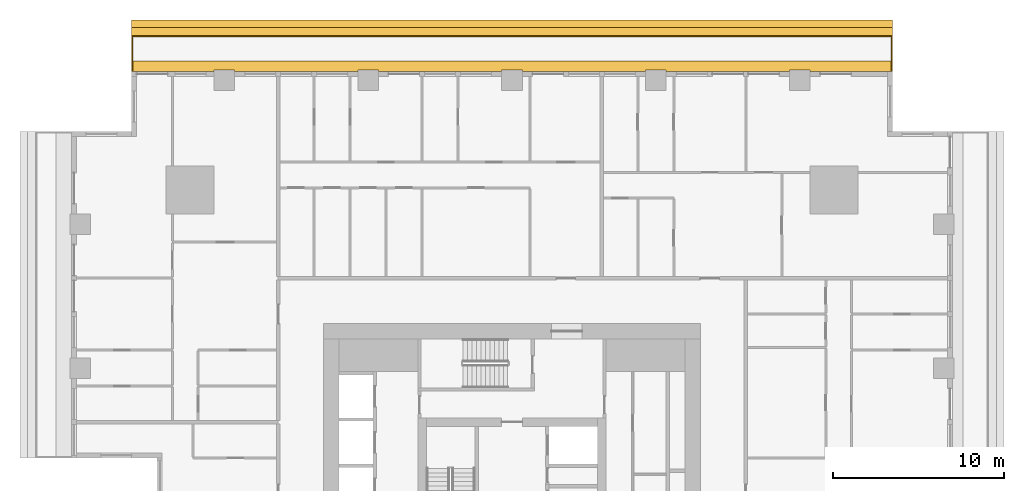
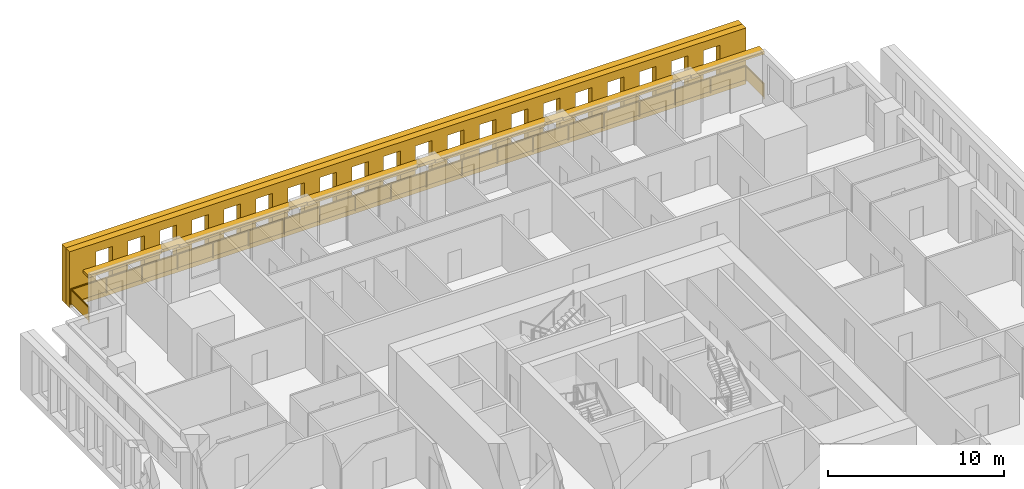
# One storey, part 15 of 15: 3 shading devices, 1 railing.
"""IFC4 building model written with IfcOpenShell, lengths in metres."""

from ifc_helpers import new_model, si_unit, direction, frame, origin, origin_2d, place, context, subcontext, project, spatial, polyline, rectangle, outline, extrude, material, layer, layer_set, type_object, element, save


model = new_model("IFC4")

# Units and contexts
model_context = context("Model", 3, precision=1e-05, world=origin(), true_north=direction((0.0, 1.0)))
body_context = subcontext(model_context, "Body", "Model", "MODEL_VIEW")
ifc_project = project(units=[si_unit("LENGTHUNIT", "METRE"), si_unit("AREAUNIT", "SQUARE_METRE"), si_unit("VOLUMEUNIT", "CUBIC_METRE"), si_unit("PLANEANGLEUNIT", "RADIAN"), si_unit("MASSUNIT", "GRAM", prefix="KILO")], contexts=[model_context])

# Site, building, storey
site_placement = place(None, origin())
site = spatial("IfcSite", under=ifc_project, at=site_placement, CompositionType="ELEMENT")
building_placement = place(site_placement, origin())
building = spatial("IfcBuilding", under=site, at=building_placement, Name="Khepri Terraces", CompositionType="ELEMENT")
storey_placement = place(building_placement, frame((0.0, 0.0, 83.10009765625)))
storey = spatial("IfcBuildingStorey", under=building, at=storey_placement, Name="L19", CompositionType="ELEMENT", Elevation=83.10009765625)

# Railing
ifc_material_1 = material(Name="Stainless steel grade 316", Category="steel")
railing_type = type_object("IfcRailingType", Name="GRD-BAL-1100", PredefinedType="GUARDRAIL", material=ifc_material_1)
railing_placement = place(storey_placement, frame((22.169921875, 25.719970703125, 0.0)))
element("IfcRailing", 1, at=railing_placement, inside=storey, type_object=railing_type, Name="Balcony guard L19 N", PredefinedType="GUARDRAIL", context=body_context, shape_type="SweptSolid", body=[
    extrude(rectangle(XDim=0.050048828125, YDim=0.06005859375, at=origin_2d()), frame((0.0, 0.0, 1.070068359375), z_axis=(0.0, 1.0, 0.0), x_axis=(-1.0, 0.0, 0.0)), (0.0, 0.0, 1.0), 2.050048828125),
    extrude(rectangle(XDim=2.0, YDim=0.011962890625, at=origin_2d()), frame((0.0, 1.02490234375, 0.10009765625), z_axis=(0.0, 0.0, 1.0), x_axis=(0.0, 1.0, 0.0)), (0.0, 0.0, 1.0), 0.93994140625),
    extrude(rectangle(XDim=0.050048828125, YDim=0.06005859375, at=origin_2d()), frame((0.0, 2.050048828125, 1.070068359375), z_axis=(-1.0, 0.0, 0.0), x_axis=(0.0, -1.0, 0.0)), (0.0, 0.0, 1.0), 44.33984375),
    extrude(rectangle(XDim=2.28369140625, YDim=0.011962890625, at=origin_2d()), frame((-1.166748046875, 2.050048828125, 0.10009765625), z_axis=(0.0, 0.0, 1.0), x_axis=(-1.0, 0.0, 0.0)), (0.0, 0.0, 1.0), 0.93994140625),
    extrude(rectangle(XDim=2.28369140625, YDim=0.011962890625, at=origin_2d()), frame((-3.50048828125, 2.050048828125, 0.10009765625), z_axis=(0.0, 0.0, 1.0), x_axis=(-1.0, 0.0, 0.0)), (0.0, 0.0, 1.0), 0.93994140625),
    extrude(rectangle(XDim=2.28369140625, YDim=0.011962890625, at=origin_2d()), frame((-5.834228515625, 2.050048828125, 0.10009765625), z_axis=(0.0, 0.0, 1.0), x_axis=(-1.0, 0.0, 0.0)), (0.0, 0.0, 1.0), 0.93994140625),
    extrude(rectangle(XDim=2.28369140625, YDim=0.011962890625, at=origin_2d()), frame((-8.16796875, 2.050048828125, 0.10009765625), z_axis=(0.0, 0.0, 1.0), x_axis=(-1.0, 0.0, 0.0)), (0.0, 0.0, 1.0), 0.93994140625),
    extrude(rectangle(XDim=2.28369140625, YDim=0.011962890625, at=origin_2d()), frame((-10.50146484375, 2.050048828125, 0.10009765625), z_axis=(0.0, 0.0, 1.0), x_axis=(-1.0, 0.0, 0.0)), (0.0, 0.0, 1.0), 0.93994140625),
    extrude(rectangle(XDim=2.28369140625, YDim=0.011962890625, at=origin_2d()), frame((-12.835205078125, 2.050048828125, 0.10009765625), z_axis=(0.0, 0.0, 1.0), x_axis=(-1.0, 0.0, 0.0)), (0.0, 0.0, 1.0), 0.93994140625),
    extrude(rectangle(XDim=2.28369140625, YDim=0.011962890625, at=origin_2d()), frame((-15.1689453125, 2.050048828125, 0.10009765625), z_axis=(0.0, 0.0, 1.0), x_axis=(-1.0, 0.0, 0.0)), (0.0, 0.0, 1.0), 0.93994140625),
    extrude(rectangle(XDim=2.28369140625, YDim=0.011962890625, at=origin_2d()), frame((-17.502685546875, 2.050048828125, 0.10009765625), z_axis=(0.0, 0.0, 1.0), x_axis=(-1.0, 0.0, 0.0)), (0.0, 0.0, 1.0), 0.93994140625),
    extrude(rectangle(XDim=2.28369140625, YDim=0.011962890625, at=origin_2d()), frame((-19.836181640625, 2.050048828125, 0.10009765625), z_axis=(0.0, 0.0, 1.0), x_axis=(-1.0, 0.0, 0.0)), (0.0, 0.0, 1.0), 0.93994140625),
    extrude(rectangle(XDim=2.28369140625, YDim=0.011962890625, at=origin_2d()), frame((-22.169921875, 2.050048828125, 0.10009765625), z_axis=(0.0, 0.0, 1.0), x_axis=(-1.0, 0.0, 0.0)), (0.0, 0.0, 1.0), 0.93994140625),
    extrude(rectangle(XDim=2.28369140625, YDim=0.011962890625, at=origin_2d()), frame((-24.503662109375, 2.050048828125, 0.10009765625), z_axis=(0.0, 0.0, 1.0), x_axis=(-1.0, 0.0, 0.0)), (0.0, 0.0, 1.0), 0.93994140625),
    extrude(rectangle(XDim=2.28369140625, YDim=0.011962890625, at=origin_2d()), frame((-26.837158203125, 2.050048828125, 0.10009765625), z_axis=(0.0, 0.0, 1.0), x_axis=(-1.0, 0.0, 0.0)), (0.0, 0.0, 1.0), 0.93994140625),
    extrude(rectangle(XDim=2.28369140625, YDim=0.011962890625, at=origin_2d()), frame((-29.1708984375, 2.050048828125, 0.10009765625), z_axis=(0.0, 0.0, 1.0), x_axis=(-1.0, 0.0, 0.0)), (0.0, 0.0, 1.0), 0.93994140625),
    extrude(rectangle(XDim=2.28369140625, YDim=0.011962890625, at=origin_2d()), frame((-31.504638671875, 2.050048828125, 0.10009765625), z_axis=(0.0, 0.0, 1.0), x_axis=(-1.0, 0.0, 0.0)), (0.0, 0.0, 1.0), 0.93994140625),
    extrude(rectangle(XDim=2.28369140625, YDim=0.011962890625, at=origin_2d()), frame((-33.83837890625, 2.050048828125, 0.10009765625), z_axis=(0.0, 0.0, 1.0), x_axis=(-1.0, 0.0, 0.0)), (0.0, 0.0, 1.0), 0.93994140625),
    extrude(rectangle(XDim=2.28369140625, YDim=0.011962890625, at=origin_2d()), frame((-36.171875, 2.050048828125, 0.10009765625), z_axis=(0.0, 0.0, 1.0), x_axis=(-1.0, 0.0, 0.0)), (0.0, 0.0, 1.0), 0.93994140625),
    extrude(rectangle(XDim=2.28369140625, YDim=0.011962890625, at=origin_2d()), frame((-38.505615234375, 2.050048828125, 0.10009765625), z_axis=(0.0, 0.0, 1.0), x_axis=(-1.0, 0.0, 0.0)), (0.0, 0.0, 1.0), 0.93994140625),
    extrude(rectangle(XDim=2.28369140625, YDim=0.011962890625, at=origin_2d()), frame((-40.83935546875, 2.050048828125, 0.10009765625), z_axis=(0.0, 0.0, 1.0), x_axis=(-1.0, 0.0, 0.0)), (0.0, 0.0, 1.0), 0.93994140625),
    extrude(rectangle(XDim=2.28369140625, YDim=0.011962890625, at=origin_2d()), frame((-43.173095703125, 2.050048828125, 0.10009765625), z_axis=(0.0, 0.0, 1.0), x_axis=(-1.0, 0.0, 0.0)), (0.0, 0.0, 1.0), 0.93994140625),
    extrude(rectangle(XDim=0.050048828125, YDim=0.06005859375, at=origin_2d()), frame((-44.33984375, 2.050048828125, 1.070068359375), z_axis=(0.0, -1.0, 0.0), x_axis=(1.0, 0.0, 0.0)), (0.0, 0.0, 1.0), 2.050048828125),
    extrude(rectangle(XDim=2.0, YDim=0.011962890625, at=origin_2d()), frame((-44.33984375, 1.02490234375, 0.10009765625), z_axis=(0.0, 0.0, 1.0), x_axis=(0.0, -1.0, 0.0)), (0.0, 0.0, 1.0), 0.93994140625),
    extrude(rectangle(XDim=0.050048828125, YDim=0.050048828125, at=origin_2d()), origin(), (0.0, 0.0, 1.0), 1.0400390625),
    extrude(rectangle(XDim=0.050048828125, YDim=0.050048828125, at=origin_2d()), frame((0.0, 2.050048828125, 0.0)), (0.0, 0.0, 1.0), 1.0400390625),
    extrude(rectangle(XDim=0.050048828125, YDim=0.050048828125, at=origin_2d()), frame((-2.333740234375, 2.050048828125, 0.0)), (0.0, 0.0, 1.0), 1.0400390625),
    extrude(rectangle(XDim=0.050048828125, YDim=0.050048828125, at=origin_2d()), frame((-4.667236328125, 2.050048828125, 0.0)), (0.0, 0.0, 1.0), 1.0400390625),
    extrude(rectangle(XDim=0.050048828125, YDim=0.050048828125, at=origin_2d()), frame((-7.0009765625, 2.050048828125, 0.0)), (0.0, 0.0, 1.0), 1.0400390625),
    extrude(rectangle(XDim=0.050048828125, YDim=0.050048828125, at=origin_2d()), frame((-9.334716796875, 2.050048828125, 0.0)), (0.0, 0.0, 1.0), 1.0400390625),
    extrude(rectangle(XDim=0.050048828125, YDim=0.050048828125, at=origin_2d()), frame((-11.66845703125, 2.050048828125, 0.0)), (0.0, 0.0, 1.0), 1.0400390625),
    extrude(rectangle(XDim=0.050048828125, YDim=0.050048828125, at=origin_2d()), frame((-14.001953125, 2.050048828125, 0.0)), (0.0, 0.0, 1.0), 1.0400390625),
    extrude(rectangle(XDim=0.050048828125, YDim=0.050048828125, at=origin_2d()), frame((-16.335693359375, 2.050048828125, 0.0)), (0.0, 0.0, 1.0), 1.0400390625),
    extrude(rectangle(XDim=0.050048828125, YDim=0.050048828125, at=origin_2d()), frame((-18.66943359375, 2.050048828125, 0.0)), (0.0, 0.0, 1.0), 1.0400390625),
    extrude(rectangle(XDim=0.050048828125, YDim=0.050048828125, at=origin_2d()), frame((-21.003173828125, 2.050048828125, 0.0)), (0.0, 0.0, 1.0), 1.0400390625),
    extrude(rectangle(XDim=0.050048828125, YDim=0.050048828125, at=origin_2d()), frame((-23.336669921875, 2.050048828125, 0.0)), (0.0, 0.0, 1.0), 1.0400390625),
    extrude(rectangle(XDim=0.050048828125, YDim=0.050048828125, at=origin_2d()), frame((-25.67041015625, 2.050048828125, 0.0)), (0.0, 0.0, 1.0), 1.0400390625),
    extrude(rectangle(XDim=0.050048828125, YDim=0.050048828125, at=origin_2d()), frame((-28.004150390625, 2.050048828125, 0.0)), (0.0, 0.0, 1.0), 1.0400390625),
    extrude(rectangle(XDim=0.050048828125, YDim=0.050048828125, at=origin_2d()), frame((-30.337890625, 2.050048828125, 0.0)), (0.0, 0.0, 1.0), 1.0400390625),
    extrude(rectangle(XDim=0.050048828125, YDim=0.050048828125, at=origin_2d()), frame((-32.67138671875, 2.050048828125, 0.0)), (0.0, 0.0, 1.0), 1.0400390625),
    extrude(rectangle(XDim=0.050048828125, YDim=0.050048828125, at=origin_2d()), frame((-35.005126953125, 2.050048828125, 0.0)), (0.0, 0.0, 1.0), 1.0400390625),
    extrude(rectangle(XDim=0.050048828125, YDim=0.050048828125, at=origin_2d()), frame((-37.3388671875, 2.050048828125, 0.0)), (0.0, 0.0, 1.0), 1.0400390625),
    extrude(rectangle(XDim=0.050048828125, YDim=0.050048828125, at=origin_2d()), frame((-39.672607421875, 2.050048828125, 0.0)), (0.0, 0.0, 1.0), 1.0400390625),
    extrude(rectangle(XDim=0.050048828125, YDim=0.050048828125, at=origin_2d()), frame((-42.006103515625, 2.050048828125, 0.0)), (0.0, 0.0, 1.0), 1.0400390625),
    extrude(rectangle(XDim=0.050048828125, YDim=0.050048828125, at=origin_2d()), frame((-44.33984375, 2.050048828125, 0.0)), (0.0, 0.0, 1.0), 1.0400390625),
    extrude(rectangle(XDim=0.050048828125, YDim=0.050048828125, at=origin_2d()), frame((-44.33984375, 0.0, 0.0)), (0.0, 0.0, 1.0), 1.0400390625),
])

# Shading devices
ifc_material_2 = material(Name="Precast concrete C50/60 warm stone", Category="masonry")
shading_device_type_1 = type_object("IfcShadingDeviceType", Name="SCR-CELL-INNER-450", PredefinedType="USERDEFINED", material=ifc_material_2)
shading_device_1_placement = place(storey_placement, frame((22.219970703125, 27.820068359375, -0.25), z_axis=(0.0, 1.0, 0.0), x_axis=(-1.0, 0.0, 0.0)))
element("IfcShadingDevice", 2, at=shading_device_1_placement, inside=storey, type_object=shading_device_type_1, Name="Cell screen L19 N in", ObjectType="SCREEN", PredefinedType="USERDEFINED", context=body_context, shape_type="SweptSolid", body=[
    extrude(outline(polyline([(0.0, 0.0), (44.43994140625, 0.0), (44.43994140625, 3.89990234375), (0.0, 3.89990234375), (0.0, 0.0)]), holes=[polyline([(1.7265625, 0.699951171875), (2.8134765625, 0.699951171875), (2.8134765625, 3.300048828125), (1.7265625, 3.300048828125), (1.7265625, 0.699951171875)]), polyline([(3.82666015625, 0.699951171875), (4.913330078125, 0.699951171875), (4.913330078125, 3.300048828125), (3.82666015625, 3.300048828125), (3.82666015625, 0.699951171875)]), polyline([(5.926513671875, 0.699951171875), (7.013427734375, 0.699951171875), (7.013427734375, 3.300048828125), (5.926513671875, 3.300048828125), (5.926513671875, 0.699951171875)]), polyline([(8.026611328125, 0.699951171875), (9.11328125, 0.699951171875), (9.11328125, 3.300048828125), (8.026611328125, 3.300048828125), (8.026611328125, 0.699951171875)]), polyline([(10.126708984375, 0.699951171875), (11.21337890625, 0.699951171875), (11.21337890625, 3.300048828125), (10.126708984375, 3.300048828125), (10.126708984375, 0.699951171875)]), polyline([(12.2265625, 0.699951171875), (13.3134765625, 0.699951171875), (13.3134765625, 3.300048828125), (12.2265625, 3.300048828125), (12.2265625, 0.699951171875)]), polyline([(14.32666015625, 0.699951171875), (15.413330078125, 0.699951171875), (15.413330078125, 3.300048828125), (14.32666015625, 3.300048828125), (14.32666015625, 0.699951171875)]), polyline([(16.426513671875, 0.699951171875), (17.513427734375, 0.699951171875), (17.513427734375, 3.300048828125), (16.426513671875, 3.300048828125), (16.426513671875, 0.699951171875)]), polyline([(18.526611328125, 0.699951171875), (19.61328125, 0.699951171875), (19.61328125, 3.300048828125), (18.526611328125, 3.300048828125), (18.526611328125, 0.699951171875)]), polyline([(20.626708984375, 0.699951171875), (21.71337890625, 0.699951171875), (21.71337890625, 3.300048828125), (20.626708984375, 3.300048828125), (20.626708984375, 0.699951171875)]), polyline([(22.7265625, 0.699951171875), (23.8134765625, 0.699951171875), (23.8134765625, 3.300048828125), (22.7265625, 3.300048828125), (22.7265625, 0.699951171875)]), polyline([(24.82666015625, 0.699951171875), (25.913330078125, 0.699951171875), (25.913330078125, 3.300048828125), (24.82666015625, 3.300048828125), (24.82666015625, 0.699951171875)]), polyline([(26.926513671875, 0.699951171875), (28.013427734375, 0.699951171875), (28.013427734375, 3.300048828125), (26.926513671875, 3.300048828125), (26.926513671875, 0.699951171875)]), polyline([(29.026611328125, 0.699951171875), (30.11328125, 0.699951171875), (30.11328125, 3.300048828125), (29.026611328125, 3.300048828125), (29.026611328125, 0.699951171875)]), polyline([(31.126708984375, 0.699951171875), (32.21337890625, 0.699951171875), (32.21337890625, 3.300048828125), (31.126708984375, 3.300048828125), (31.126708984375, 0.699951171875)]), polyline([(33.2265625, 0.699951171875), (34.3134765625, 0.699951171875), (34.3134765625, 3.300048828125), (33.2265625, 3.300048828125), (33.2265625, 0.699951171875)]), polyline([(35.32666015625, 0.699951171875), (36.413330078125, 0.699951171875), (36.413330078125, 3.300048828125), (35.32666015625, 3.300048828125), (35.32666015625, 0.699951171875)]), polyline([(37.426513671875, 0.699951171875), (38.513427734375, 0.699951171875), (38.513427734375, 3.300048828125), (37.426513671875, 3.300048828125), (37.426513671875, 0.699951171875)]), polyline([(39.526611328125, 0.699951171875), (40.61328125, 0.699951171875), (40.61328125, 3.300048828125), (39.526611328125, 3.300048828125), (39.526611328125, 0.699951171875)]), polyline([(41.626708984375, 0.699951171875), (42.71337890625, 0.699951171875), (42.71337890625, 3.300048828125), (41.626708984375, 3.300048828125), (41.626708984375, 0.699951171875)])]), origin(), (0.0, 0.0, 1.0), 0.449951171875),
])
shading_device_type_2 = type_object("IfcShadingDeviceType", Name="SCR-CELL-OUTER-450", PredefinedType="USERDEFINED", material=ifc_material_2)
shading_device_2_placement = place(storey_placement, frame((22.219970703125, 28.27001953125, -0.25), z_axis=(0.0, 1.0, 0.0), x_axis=(-1.0, 0.0, 0.0)))
element("IfcShadingDevice", 3, at=shading_device_2_placement, inside=storey, type_object=shading_device_type_2, Name="Cell screen L19 N out", ObjectType="SCREEN", PredefinedType="USERDEFINED", context=body_context, shape_type="SweptSolid", body=[
    extrude(outline(polyline([(0.0, 0.0), (44.43994140625, 0.0), (44.43994140625, 3.89990234375), (0.0, 3.89990234375), (0.0, 0.0)]), holes=[polyline([(1.376708984375, 0.449951171875), (3.163330078125, 0.449951171875), (3.163330078125, 3.550048828125), (1.376708984375, 3.550048828125), (1.376708984375, 0.449951171875)]), polyline([(3.4765625, 0.449951171875), (5.263427734375, 0.449951171875), (5.263427734375, 3.550048828125), (3.4765625, 3.550048828125), (3.4765625, 0.449951171875)]), polyline([(5.57666015625, 0.449951171875), (7.36328125, 0.449951171875), (7.36328125, 3.550048828125), (5.57666015625, 3.550048828125), (5.57666015625, 0.449951171875)]), polyline([(7.676513671875, 0.449951171875), (9.46337890625, 0.449951171875), (9.46337890625, 3.550048828125), (7.676513671875, 3.550048828125), (7.676513671875, 0.449951171875)]), polyline([(9.776611328125, 0.449951171875), (11.5634765625, 0.449951171875), (11.5634765625, 3.550048828125), (9.776611328125, 3.550048828125), (9.776611328125, 0.449951171875)]), polyline([(11.876708984375, 0.449951171875), (13.663330078125, 0.449951171875), (13.663330078125, 3.550048828125), (11.876708984375, 3.550048828125), (11.876708984375, 0.449951171875)]), polyline([(13.9765625, 0.449951171875), (15.763427734375, 0.449951171875), (15.763427734375, 3.550048828125), (13.9765625, 3.550048828125), (13.9765625, 0.449951171875)]), polyline([(16.07666015625, 0.449951171875), (17.86328125, 0.449951171875), (17.86328125, 3.550048828125), (16.07666015625, 3.550048828125), (16.07666015625, 0.449951171875)]), polyline([(18.176513671875, 0.449951171875), (19.96337890625, 0.449951171875), (19.96337890625, 3.550048828125), (18.176513671875, 3.550048828125), (18.176513671875, 0.449951171875)]), polyline([(20.276611328125, 0.449951171875), (22.0634765625, 0.449951171875), (22.0634765625, 3.550048828125), (20.276611328125, 3.550048828125), (20.276611328125, 0.449951171875)]), polyline([(22.376708984375, 0.449951171875), (24.163330078125, 0.449951171875), (24.163330078125, 3.550048828125), (22.376708984375, 3.550048828125), (22.376708984375, 0.449951171875)]), polyline([(24.4765625, 0.449951171875), (26.263427734375, 0.449951171875), (26.263427734375, 3.550048828125), (24.4765625, 3.550048828125), (24.4765625, 0.449951171875)]), polyline([(26.57666015625, 0.449951171875), (28.36328125, 0.449951171875), (28.36328125, 3.550048828125), (26.57666015625, 3.550048828125), (26.57666015625, 0.449951171875)]), polyline([(28.676513671875, 0.449951171875), (30.46337890625, 0.449951171875), (30.46337890625, 3.550048828125), (28.676513671875, 3.550048828125), (28.676513671875, 0.449951171875)]), polyline([(30.776611328125, 0.449951171875), (32.5634765625, 0.449951171875), (32.5634765625, 3.550048828125), (30.776611328125, 3.550048828125), (30.776611328125, 0.449951171875)]), polyline([(32.876708984375, 0.449951171875), (34.663330078125, 0.449951171875), (34.663330078125, 3.550048828125), (32.876708984375, 3.550048828125), (32.876708984375, 0.449951171875)]), polyline([(34.9765625, 0.449951171875), (36.763427734375, 0.449951171875), (36.763427734375, 3.550048828125), (34.9765625, 3.550048828125), (34.9765625, 0.449951171875)]), polyline([(37.07666015625, 0.449951171875), (38.86328125, 0.449951171875), (38.86328125, 3.550048828125), (37.07666015625, 3.550048828125), (37.07666015625, 0.449951171875)]), polyline([(39.176513671875, 0.449951171875), (40.96337890625, 0.449951171875), (40.96337890625, 3.550048828125), (39.176513671875, 3.550048828125), (39.176513671875, 0.449951171875)]), polyline([(41.276611328125, 0.449951171875), (43.0634765625, 0.449951171875), (43.0634765625, 3.550048828125), (41.276611328125, 3.550048828125), (41.276611328125, 0.449951171875)])]), origin(), (0.0, 0.0, 1.0), 0.449951171875),
])
ifc_layer = layer(ifc_material_2, 0.199951171875, Name="Precast concrete C50/60 warm stone", Category="masonry")
ifc_layer_set = layer_set([ifc_layer], Name="Precast concrete C50/60 warm stone")
shading_device_type_3 = type_object("IfcShadingDeviceType", Name="SSH-BAND-STONE-200-N", PredefinedType="USERDEFINED", material=ifc_layer_set)
shading_device_3_placement = place(storey_placement, frame((0.0, 0.0, 3.099853515625)))
element("IfcShadingDevice", 4, at=shading_device_3_placement, inside=storey, type_object=shading_device_type_3, Name="Sunshade band L19 N", ObjectType="SUNSHADE", PredefinedType="USERDEFINED", context=body_context, shape_type="SweptSolid", body=[
    extrude(outline(polyline([(17.39990234375, 25.719970703125), (22.219970703125, 25.719970703125), (22.219970703125, 26.320068359375), (-22.219970703125, 26.320068359375), (-22.219970703125, 25.719970703125), (-17.39990234375, 25.719970703125), (-17.39990234375, 25.800048828125), (-16.199951171875, 25.800048828125), (-16.199951171875, 25.719970703125), (-9.0, 25.719970703125), (-9.0, 25.800048828125), (-7.800048828125, 25.800048828125), (-7.800048828125, 25.719970703125), (-0.60009765625, 25.719970703125), (-0.60009765625, 25.800048828125), (0.60009765625, 25.800048828125), (0.60009765625, 25.719970703125), (7.800048828125, 25.719970703125), (7.800048828125, 25.800048828125), (9.0, 25.800048828125), (9.0, 25.719970703125), (16.199951171875, 25.719970703125), (16.199951171875, 25.800048828125), (17.39990234375, 25.800048828125), (17.39990234375, 25.719970703125)])), origin(), (0.0, 0.0, 1.0), 0.199951171875),
])

save(model, "model.ifc")
